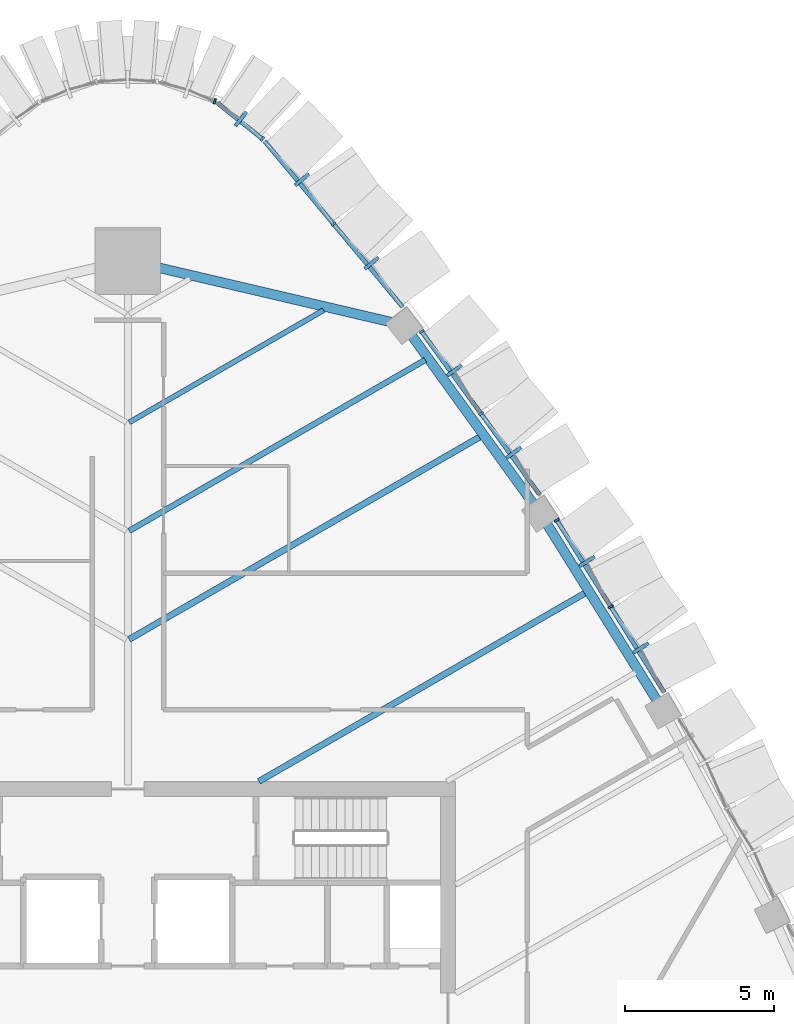
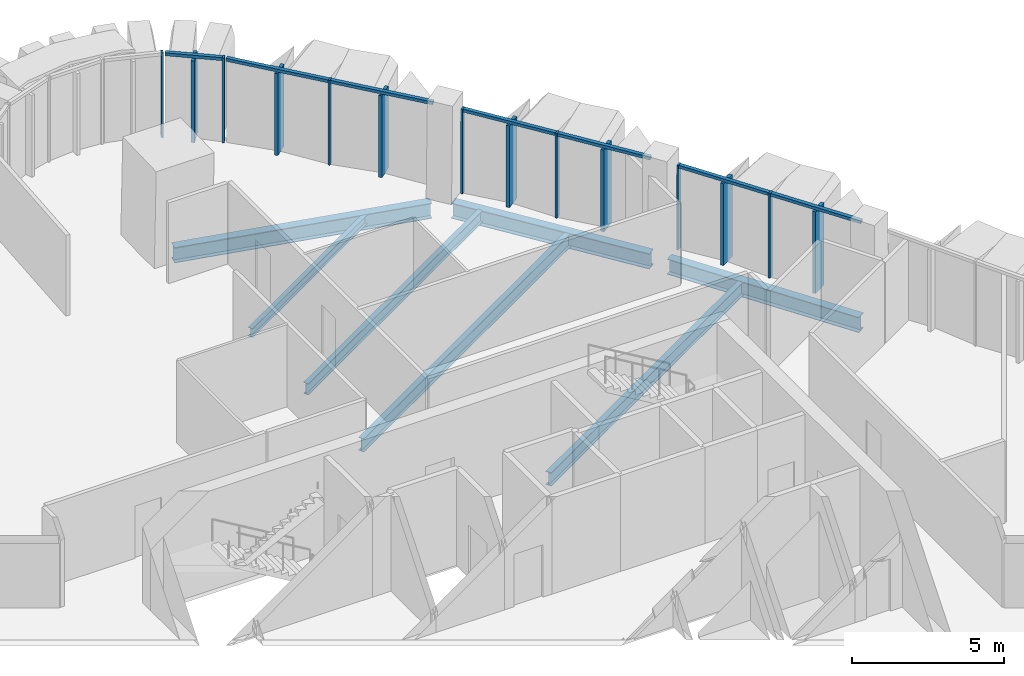
# One storey, part 7 of 20: 21 members, 7 beams, 5 elements without a shape of their own.
"""IFC4 building model written with IfcOpenShell, lengths in metres."""

from ifc_helpers import new_model, si_unit, direction, frame, origin, origin_2d, place, context, subcontext, project, spatial, rectangle, i_section, extrude, material, layer, layer_set, material_profile, profile_set, type_object, element, aggregate, save


model = new_model("IFC4")

# Units and contexts
model_context = context("Model", 3, precision=1e-05, world=origin(), true_north=direction((0.0, 1.0)))
body_context = subcontext(model_context, "Body", "Model", "MODEL_VIEW")
ifc_project = project(units=[si_unit("LENGTHUNIT", "METRE"), si_unit("AREAUNIT", "SQUARE_METRE"), si_unit("VOLUMEUNIT", "CUBIC_METRE"), si_unit("PLANEANGLEUNIT", "RADIAN"), si_unit("MASSUNIT", "GRAM", prefix="KILO")], contexts=[model_context])

# Site, building, storey
site_placement = place(None, origin())
site = spatial("IfcSite", under=ifc_project, at=site_placement, CompositionType="ELEMENT")
building_placement = place(site_placement, origin())
building = spatial("IfcBuilding", under=site, at=building_placement, Name="Sierra Prisma Convention Tower", CompositionType="ELEMENT")
storey_placement = place(building_placement, frame((0.0, 0.0, 239.0)))
storey = spatial("IfcBuildingStorey", under=building, at=storey_placement, Name="L53", CompositionType="ELEMENT", Elevation=239.0)

# Curtain wall, members
ifc_material_1 = material(Name="Aluminium and glass curtain wall", Category="aluminium")
ifc_layer = layer(ifc_material_1, 0.179931640625)
ifc_layer_set = layer_set([ifc_layer], Name="CW-2 Faceted crystal curtain wall")
curtain_wall_type = type_object("IfcCurtainWallType", Name="CW-2 Faceted crystal curtain wall", PredefinedType="NOTDEFINED", material=ifc_layer_set)
curtain_wall_1_placement = place(storey_placement, origin())
curtain_wall_1 = element("IfcCurtainWall", 1, at=curtain_wall_1_placement, inside=storey, type_object=curtain_wall_type, Name="CW-2 NE4 L53", PredefinedType="NOTDEFINED")
ifc_material_2 = material(Name="Aluminium 6063-T6 bronze anodised", Category="aluminium")
ifc_material_profile_1 = material_profile(ifc_material_2, rectangle(XDim=0.1201171875, YDim=0.60009765625, at=origin_2d()), Name="ALU RIDGE BLADE 120x600")
ifc_profile_set_1 = profile_set([ifc_material_profile_1], Name="Aluminium 6063-T6 bronze anodised")
member_type_1 = type_object("IfcMemberType", Name="CW hip bronze", PredefinedType="MULLION", material=ifc_profile_set_1)
member_1_placement = place(storey_placement, frame((17.224365234375, 12.48291015625, 0.0), z_axis=(0.0, 0.0, 1.0), x_axis=(-0.529251876417, 0.848464761383, 0.0)))
member_1 = element("IfcMember", 2, at=member_1_placement, type_object=member_type_1, Name="CW-2 ridge NE4.1", PredefinedType="MULLION", context=body_context, shape_type="SweptSolid", body=[
    extrude(rectangle(XDim=0.1201171875, YDim=0.60009765625, at=origin_2d()), origin(), (0.0, 0.0, 1.0), 3.280029296875),
])
member_2_placement = place(storey_placement, frame((15.414306640625, 15.384765625, 0.0), z_axis=(0.0, 0.0, 1.0), x_axis=(-0.529251876417, 0.848464761383, 0.0)))
member_2 = element("IfcMember", 3, at=member_2_placement, type_object=member_type_1, Name="CW-2 ridge NE4.2", PredefinedType="MULLION", context=body_context, shape_type="SweptSolid", body=[
    extrude(rectangle(XDim=0.1201171875, YDim=0.60009765625, at=origin_2d()), origin(), (0.0, 0.0, 1.0), 3.280029296875),
])

curtain_wall_2_placement = place(storey_placement, origin())
curtain_wall_2 = element("IfcCurtainWall", 4, at=curtain_wall_2_placement, inside=storey, type_object=curtain_wall_type, Name="CW-2 NE5 L53", PredefinedType="NOTDEFINED")
member_3_placement = place(storey_placement, frame((12.959228515625, 19.037353515625, 0.0), z_axis=(0.0, 0.0, 1.0), x_axis=(-0.585874071334, 0.810402105462, 0.0)))
member_3 = element("IfcMember", 5, at=member_3_placement, type_object=member_type_1, Name="CW-2 ridge NE5.1", PredefinedType="MULLION", context=body_context, shape_type="SweptSolid", body=[
    extrude(rectangle(XDim=0.1201171875, YDim=0.60009765625, at=origin_2d()), origin(), (0.0, 0.0, 1.0), 3.280029296875),
])
member_4_placement = place(storey_placement, frame((10.96435546875, 21.796630859375, 0.0), z_axis=(0.0, 0.0, 1.0), x_axis=(-0.585874071334, 0.810402105462, 0.0)))
member_4 = element("IfcMember", 6, at=member_4_placement, type_object=member_type_1, Name="CW-2 ridge NE5.2", PredefinedType="MULLION", context=body_context, shape_type="SweptSolid", body=[
    extrude(rectangle(XDim=0.1201171875, YDim=0.60009765625, at=origin_2d()), origin(), (0.0, 0.0, 1.0), 3.280029296875),
])

curtain_wall_3_placement = place(storey_placement, origin())
curtain_wall_3 = element("IfcCurtainWall", 7, at=curtain_wall_3_placement, inside=storey, type_object=curtain_wall_type, Name="CW-2 NE6 L53", PredefinedType="NOTDEFINED")
member_5_placement = place(storey_placement, frame((8.181640625, 25.392822265625, 0.0), z_axis=(0.0, 0.0, 1.0), x_axis=(-0.639769116919, 0.768567158443, 0.0)))
member_5 = element("IfcMember", 8, at=member_5_placement, type_object=member_type_1, Name="CW-2 ridge NE6.1", PredefinedType="MULLION", context=body_context, shape_type="SweptSolid", body=[
    extrude(rectangle(XDim=0.1201171875, YDim=0.60009765625, at=origin_2d()), origin(), (0.0, 0.0, 1.0), 3.280029296875),
])
member_6_placement = place(storey_placement, frame((5.845703125, 28.198974609375, 0.0), z_axis=(0.0, 0.0, 1.0), x_axis=(-0.639769116919, 0.768567158443, 0.0)))
member_6 = element("IfcMember", 9, at=member_6_placement, type_object=member_type_1, Name="CW-2 ridge NE6.2", PredefinedType="MULLION", context=body_context, shape_type="SweptSolid", body=[
    extrude(rectangle(XDim=0.1201171875, YDim=0.60009765625, at=origin_2d()), origin(), (0.0, 0.0, 1.0), 3.280029296875),
])

# Curtain wall, member
curtain_wall_4_placement = place(storey_placement, origin())
curtain_wall_4 = element("IfcCurtainWall", 10, at=curtain_wall_4_placement, inside=storey, type_object=curtain_wall_type, Name="CW-2 N1 L53", PredefinedType="NOTDEFINED")
member_7_placement = place(storey_placement, frame((3.79541015625, 30.235107421875, 0.0), z_axis=(0.0, 0.0, 1.0), x_axis=(-0.781342094396, 0.624102981506, 0.0)))
member_7 = element("IfcMember", 11, at=member_7_placement, type_object=member_type_1, Name="CW-2 ridge N1.1", PredefinedType="MULLION", context=body_context, shape_type="SweptSolid", body=[
    extrude(rectangle(XDim=0.1201171875, YDim=0.60009765625, at=origin_2d()), origin(), (0.0, 0.0, 1.0), 3.280029296875),
])

# Member
ifc_material_3 = material(Name="Aluminium 6063-T6 bronze anodised", Category="aluminium")
ifc_material_profile_2 = material_profile(ifc_material_3, rectangle(XDim=0.179931640625, YDim=0.070068359375, at=origin_2d()), Name="ALU MULLION 70x180")
ifc_profile_set_2 = profile_set([ifc_material_profile_2], Name="Aluminium 6063-T6 bronze anodised")
member_type_2 = type_object("IfcMemberType", Name="CW mullion bronze", PredefinedType="MULLION", material=ifc_profile_set_2)
member_8_placement = place(storey_placement, frame((16.20751953125, 13.864013671875, 0.0), z_axis=(0.0, 0.0, 1.0), x_axis=(-0.848464761383, -0.529251876417, 0.0)))
member_8 = element("IfcMember", 12, at=member_8_placement, type_object=member_type_2, Name="CW-1 mullion NE4.2", PredefinedType="MULLION", context=body_context, shape_type="SweptSolid", body=[
    extrude(rectangle(XDim=0.179931640625, YDim=0.070068359375, at=origin_2d()), origin(), (0.0, 0.0, 1.0), 3.39990234375),
])

member_9_placement = place(storey_placement, frame((14.3974609375, 16.765869140625, 0.0), z_axis=(0.0, 0.0, 1.0), x_axis=(-0.848464761383, -0.529251876417, 0.0)))
member_9 = element("IfcMember", 13, at=member_9_placement, type_object=member_type_2, Name="CW-1 mullion NE4.3", PredefinedType="MULLION", context=body_context, shape_type="SweptSolid", body=[
    extrude(rectangle(XDim=0.179931640625, YDim=0.070068359375, at=origin_2d()), origin(), (0.0, 0.0, 1.0), 3.39990234375),
])

member_10_placement = place(storey_placement, frame((11.85546875, 20.340087890625, 0.0), z_axis=(0.0, 0.0, 1.0), x_axis=(-0.810402105462, -0.585874071334, 0.0)))
member_10 = element("IfcMember", 14, at=member_10_placement, type_object=member_type_2, Name="CW-1 mullion NE5.2", PredefinedType="MULLION", context=body_context, shape_type="SweptSolid", body=[
    extrude(rectangle(XDim=0.179931640625, YDim=0.070068359375, at=origin_2d()), origin(), (0.0, 0.0, 1.0), 3.39990234375),
])

member_11_placement = place(storey_placement, frame((9.8603515625, 23.099609375, 0.0), z_axis=(0.0, 0.0, 1.0), x_axis=(-0.810402105462, -0.585874071334, 0.0)))
member_11 = element("IfcMember", 15, at=member_11_placement, type_object=member_type_2, Name="CW-1 mullion NE5.3", PredefinedType="MULLION", context=body_context, shape_type="SweptSolid", body=[
    extrude(rectangle(XDim=0.179931640625, YDim=0.070068359375, at=origin_2d()), origin(), (0.0, 0.0, 1.0), 3.39990234375),
])

member_12_placement = place(storey_placement, frame((6.9052734375, 26.705810546875, 0.0), z_axis=(0.0, 0.0, 1.0), x_axis=(-0.768567158443, -0.639769116919, 0.0)))
member_12 = element("IfcMember", 16, at=member_12_placement, type_object=member_type_2, Name="CW-1 mullion NE6.2", PredefinedType="MULLION", context=body_context, shape_type="SweptSolid", body=[
    extrude(rectangle(XDim=0.179931640625, YDim=0.070068359375, at=origin_2d()), origin(), (0.0, 0.0, 1.0), 3.39990234375),
])

member_13_placement = place(storey_placement, frame((4.519775390625, 29.560546875, 0.0), z_axis=(0.0, 0.0, 1.0), x_axis=(-0.624102981506, -0.781342094396, 0.0)))
member_13 = element("IfcMember", 17, at=member_13_placement, type_object=member_type_2, Name="CW-1 mullion N1.1", PredefinedType="MULLION", context=body_context, shape_type="SweptSolid", body=[
    extrude(rectangle(XDim=0.179931640625, YDim=0.070068359375, at=origin_2d()), origin(), (0.0, 0.0, 1.0), 3.39990234375),
])

# Curtain wall, member
curtain_wall_5_placement = place(storey_placement, origin())
curtain_wall_5 = element("IfcCurtainWall", 18, at=curtain_wall_5_placement, inside=storey, type_object=curtain_wall_type, Name="CW-2 N2 L53", PredefinedType="NOTDEFINED")
member_14_placement = place(storey_placement, frame((2.917236328125, 30.82568359375, 0.0), z_axis=(0.0, 0.0, 1.0), x_axis=(-0.330649289726, -0.943753700498, 0.0)))
member_14 = element("IfcMember", 19, at=member_14_placement, type_object=member_type_2, Name="CW-1 mullion N2.1", PredefinedType="MULLION", context=body_context, shape_type="SweptSolid", body=[
    extrude(rectangle(XDim=0.179931640625, YDim=0.070068359375, at=origin_2d()), origin(), (0.0, 0.0, 1.0), 3.39990234375),
])
aggregate(curtain_wall_5, [member_14])

# Member
ifc_material_4 = material(Name="Aluminium 6063-T6 bronze anodised", Category="aluminium")
ifc_material_profile_3 = material_profile(ifc_material_4, rectangle(XDim=0.139892578125, YDim=0.1201171875, at=origin_2d()), Name="ALU TRANSOM 120x140")
ifc_profile_set_3 = profile_set([ifc_material_profile_3], Name="Aluminium 6063-T6 bronze anodised")
member_type_3 = type_object("IfcMemberType", Name="CW transom bronze", PredefinedType="USERDEFINED", material=ifc_profile_set_3)
member_15_placement = place(storey_placement, frame((17.999267578125, 10.991943359375, 3.340087890625), z_axis=(-0.529271659567, 0.84845242081, 0.0), x_axis=(-0.84845242081, -0.529271659567, 0.0)))
member_15 = element("IfcMember", 20, at=member_15_placement, type_object=member_type_3, Name="CW-1 transom NE4.1", ObjectType="TRANSOM", PredefinedType="USERDEFINED", context=body_context, shape_type="SweptSolid", body=[
    extrude(rectangle(XDim=0.139892578125, YDim=0.1201171875, at=origin_2d()), origin(), (0.0, 0.0, 1.0), 3.350341796875),
])

member_16_placement = place(storey_placement, frame((16.18896484375, 13.893798828125, 3.340087890625), z_axis=(-0.529219197825, 0.848485144627, 0.0), x_axis=(-0.848485144627, -0.529219197825, 0.0)))
member_16 = element("IfcMember", 21, at=member_16_placement, type_object=member_type_3, Name="CW-1 transom NE4.2", ObjectType="TRANSOM", PredefinedType="USERDEFINED", context=body_context, shape_type="SweptSolid", body=[
    extrude(rectangle(XDim=0.139892578125, YDim=0.1201171875, at=origin_2d()), origin(), (0.0, 0.0, 1.0), 3.35009765625),
])

aggregate(curtain_wall_1, [member_8, member_9, member_15, member_1, member_16, member_2])

member_17_placement = place(storey_placement, frame((13.829833984375, 17.609130859375, 3.340087890625), z_axis=(-0.585875381296, 0.810401158434, 0.0), x_axis=(-0.810401158434, -0.585875381296, 0.0)))
member_17 = element("IfcMember", 22, at=member_17_placement, type_object=member_type_3, Name="CW-1 transom NE5.1", ObjectType="TRANSOM", PredefinedType="USERDEFINED", context=body_context, shape_type="SweptSolid", body=[
    extrude(rectangle(XDim=0.139892578125, YDim=0.1201171875, at=origin_2d()), origin(), (0.0, 0.0, 1.0), 3.3349609375),
])

member_18_placement = place(storey_placement, frame((11.8349609375, 20.368408203125, 3.340087890625), z_axis=(-0.585888700299, 0.810391529362, 0.0), x_axis=(-0.810391529362, -0.585888700299, 0.0)))
member_18 = element("IfcMember", 23, at=member_18_placement, type_object=member_type_3, Name="CW-1 transom NE5.2", ObjectType="TRANSOM", PredefinedType="USERDEFINED", context=body_context, shape_type="SweptSolid", body=[
    extrude(rectangle(XDim=0.139892578125, YDim=0.1201171875, at=origin_2d()), origin(), (0.0, 0.0, 1.0), 3.335205078125),
])

aggregate(curtain_wall_2, [member_10, member_11, member_17, member_3, member_18, member_4])

member_19_placement = place(storey_placement, frame((9.21875, 23.926513671875, 3.340087890625), z_axis=(-0.639741723372, 0.768589960497, 0.0), x_axis=(-0.768589960497, -0.639741723372, 0.0)))
member_19 = element("IfcMember", 24, at=member_19_placement, type_object=member_type_3, Name="CW-1 transom NE6.1", ObjectType="TRANSOM", PredefinedType="USERDEFINED", context=body_context, shape_type="SweptSolid", body=[
    extrude(rectangle(XDim=0.139892578125, YDim=0.1201171875, at=origin_2d()), origin(), (0.0, 0.0, 1.0), 3.5810546875),
])

member_20_placement = place(storey_placement, frame((6.883056640625, 26.732666015625, 3.340087890625), z_axis=(-0.639781993006, 0.768556439974, 0.0), x_axis=(-0.768556439974, -0.639781993006, 0.0)))
member_20 = element("IfcMember", 25, at=member_20_placement, type_object=member_type_3, Name="CW-1 transom NE6.2", ObjectType="TRANSOM", PredefinedType="USERDEFINED", context=body_context, shape_type="SweptSolid", body=[
    extrude(rectangle(XDim=0.139892578125, YDim=0.1201171875, at=origin_2d()), origin(), (0.0, 0.0, 1.0), 3.581298828125),
])

aggregate(curtain_wall_3, [member_12, member_19, member_5, member_20, member_6])

member_21_placement = place(storey_placement, frame((4.492431640625, 29.58251953125, 3.340087890625), z_axis=(-0.781344074086, 0.624100503037, 0.0), x_axis=(-0.624100503037, -0.781344074086, 0.0)))
member_21 = element("IfcMember", 26, at=member_21_placement, type_object=member_type_3, Name="CW-1 transom N1.1", ObjectType="TRANSOM", PredefinedType="USERDEFINED", context=body_context, shape_type="SweptSolid", body=[
    extrude(rectangle(XDim=0.139892578125, YDim=0.1201171875, at=origin_2d()), origin(), (0.0, 0.0, 1.0), 1.903564453125),
])

aggregate(curtain_wall_4, [member_13, member_21, member_7])

# Beams
ifc_material_5 = material(Name="Steel ASTM A992 Gr 50", Category="steel")
ifc_material_profile_4 = material_profile(ifc_material_5, i_section(OverallWidth=0.172119140625, OverallDepth=0.35791015625, WebThickness=0.0078125, FlangeThickness=0.01318359375, at=origin_2d()), Name="W360x57")
ifc_profile_set_4 = profile_set([ifc_material_profile_4], Name="Steel ASTM A992 Gr 50")
beam_type_1 = type_object("IfcBeamType", Name="Floor joist W360x57", PredefinedType="JOIST", material=ifc_profile_set_4)
beam_1_placement = place(storey_placement, frame((6.5673828125, 23.814208984375, -0.3291015625), z_axis=(-0.866027936218, -0.49999561367, 0.0), x_axis=(0.49999561367, -0.866027936218, 0.0)))
element("IfcBeam", 27, at=beam_1_placement, inside=storey, type_object=beam_type_1, Name="Floor joist L53 NE13", PredefinedType="JOIST", context=body_context, shape_type="SweptSolid", body=[
    extrude(i_section(OverallWidth=0.172119140625, OverallDepth=0.35791015625, WebThickness=0.0078125, FlangeThickness=0.01318359375, at=origin_2d()), origin(), (0.0, 0.0, 1.0), 7.5302734375),
])
ifc_material_6 = material(Name="Steel ASTM A992 Gr 50", Category="steel")
ifc_material_profile_5 = material_profile(ifc_material_6, i_section(OverallWidth=0.18994140625, OverallDepth=0.45703125, WebThickness=0.009033203125, FlangeThickness=0.014404296875, at=origin_2d()), Name="W460x74")
ifc_profile_set_5 = profile_set([ifc_material_profile_5], Name="Steel ASTM A992 Gr 50")
beam_type_2 = type_object("IfcBeamType", Name="Floor joist W460x74", PredefinedType="JOIST", material=ifc_profile_set_5)
beam_2_placement = place(storey_placement, frame((9.980224609375, 22.144287109375, -0.37841796875), z_axis=(-0.866025033342, -0.500000641624, 0.0), x_axis=(0.500000641624, -0.866025033342, 0.0)))
element("IfcBeam", 28, at=beam_2_placement, inside=storey, type_object=beam_type_2, Name="Floor joist L53 NE12", PredefinedType="JOIST", context=body_context, shape_type="SweptSolid", body=[
    extrude(i_section(OverallWidth=0.18994140625, OverallDepth=0.45703125, WebThickness=0.009033203125, FlangeThickness=0.014404296875, at=origin_2d()), origin(), (0.0, 0.0, 1.0), 11.47119140625),
])
ifc_material_7 = material(Name="Steel ASTM A992 Gr 50", Category="steel")
ifc_material_profile_6 = material_profile(ifc_material_7, i_section(OverallWidth=0.208984375, OverallDepth=0.532958984375, WebThickness=0.01025390625, FlangeThickness=0.015625, at=origin_2d()), Name="W530x92")
ifc_profile_set_6 = profile_set([ifc_material_profile_6], Name="Steel ASTM A992 Gr 50")
beam_type_3 = type_object("IfcBeamType", Name="Floor joist W530x92", PredefinedType="JOIST", material=ifc_profile_set_6)
beam_3_placement = place(storey_placement, frame((15.369384765625, 14.334228515625, -0.41650390625), z_axis=(-0.866025123372, -0.500000485689, 0.0), x_axis=(0.500000485689, -0.866025123372, 0.0)))
element("IfcBeam", 29, at=beam_3_placement, inside=storey, type_object=beam_type_3, Name="Floor joist L53 NE09", PredefinedType="JOIST", context=body_context, shape_type="SweptSolid", body=[
    extrude(i_section(OverallWidth=0.208984375, OverallDepth=0.532958984375, WebThickness=0.01025390625, FlangeThickness=0.015625, at=origin_2d()), origin(), (0.0, 0.0, 1.0), 12.66845703125),
])
beam_4_placement = place(storey_placement, frame((11.837158203125, 19.575927734375, -0.41650390625), z_axis=(-0.866027624036, -0.499996154391, 0.0), x_axis=(0.499996154391, -0.866027624036, 0.0)))
element("IfcBeam", 30, at=beam_4_placement, inside=storey, type_object=beam_type_3, Name="Floor joist L53 NE11", PredefinedType="JOIST", context=body_context, shape_type="SweptSolid", body=[
    extrude(i_section(OverallWidth=0.208984375, OverallDepth=0.532958984375, WebThickness=0.01025390625, FlangeThickness=0.015625, at=origin_2d()), origin(), (0.0, 0.0, 1.0), 13.615234375),
])
ifc_material_8 = material(Name="Steel ASTM A992 Gr 50", Category="steel")
ifc_material_profile_7 = material_profile(ifc_material_8, i_section(OverallWidth=0.324951171875, OverallDepth=0.615966796875, WebThickness=0.013916015625, FlangeThickness=0.021484375, at=origin_2d()), Name="W610x174")
ifc_profile_set_7 = profile_set([ifc_material_profile_7], Name="Steel ASTM A992 Gr 50")
beam_type_4 = type_object("IfcBeamType", Name="Spandrel beam W610x174", PredefinedType="BEAM", material=ifc_profile_set_7)
for number, where, z_axis, x_axis, name in (
    (31, (17.79638671875, 10.656005859375, -0.4580078125), (-0.529242392476, 0.848470677164, 0.0), (-0.848470677164, -0.529242392476, 0.0), "Spandrel L53-10"),
    (32, (13.650390625, 17.260009765625, -0.4580078125), (-0.585881369522, 0.810396829243, 0.0), (-0.810396829243, -0.585881369522, 0.0), "Spandrel L53-11"),
):
    element("IfcBeam", number, at=place(storey_placement, frame(where, z_axis=z_axis, x_axis=x_axis)), inside=storey, type_object=beam_type_4, Name=name, PredefinedType="BEAM", context=body_context, shape_type="SweptSolid", body=[
        extrude(i_section(OverallWidth=0.324951171875, OverallDepth=0.615966796875, WebThickness=0.013916015625, FlangeThickness=0.021484375, at=origin_2d()), origin(), (0.0, 0.0, 1.0), 7.1376953125),
    ])
beam_5_placement = place(storey_placement, frame((8.828125, 23.416748046875, -0.4580078125), z_axis=(-0.973676574502, 0.227934043675, 0.0), x_axis=(-0.227934043675, -0.973676574502, 0.0)))
element("IfcBeam", 33, at=beam_5_placement, inside=storey, type_object=beam_type_4, Name="Spandrel L53-12", PredefinedType="BEAM", context=body_context, shape_type="SweptSolid", body=[
    extrude(i_section(OverallWidth=0.324951171875, OverallDepth=0.615966796875, WebThickness=0.013916015625, FlangeThickness=0.021484375, at=origin_2d()), origin(), (0.0, 0.0, 1.0), 8.8408203125),
])

save(model, "model.ifc")
